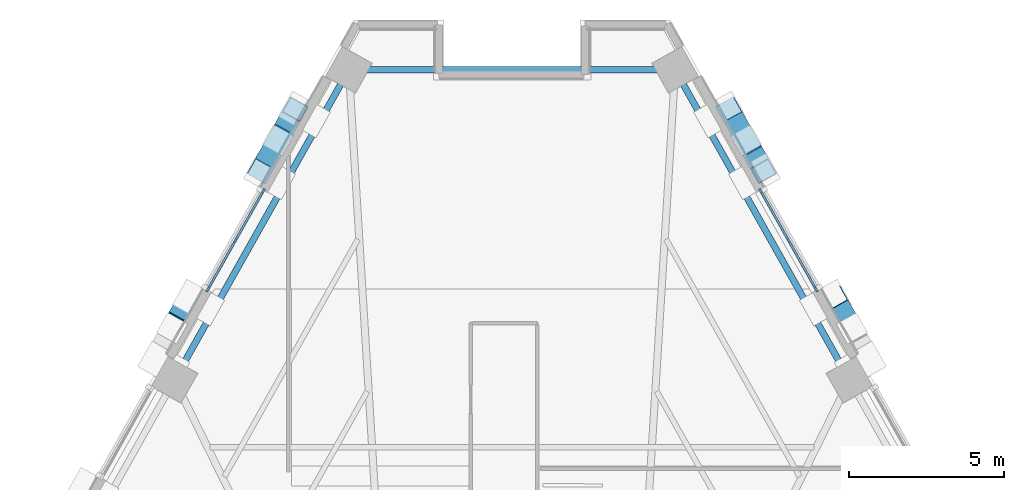
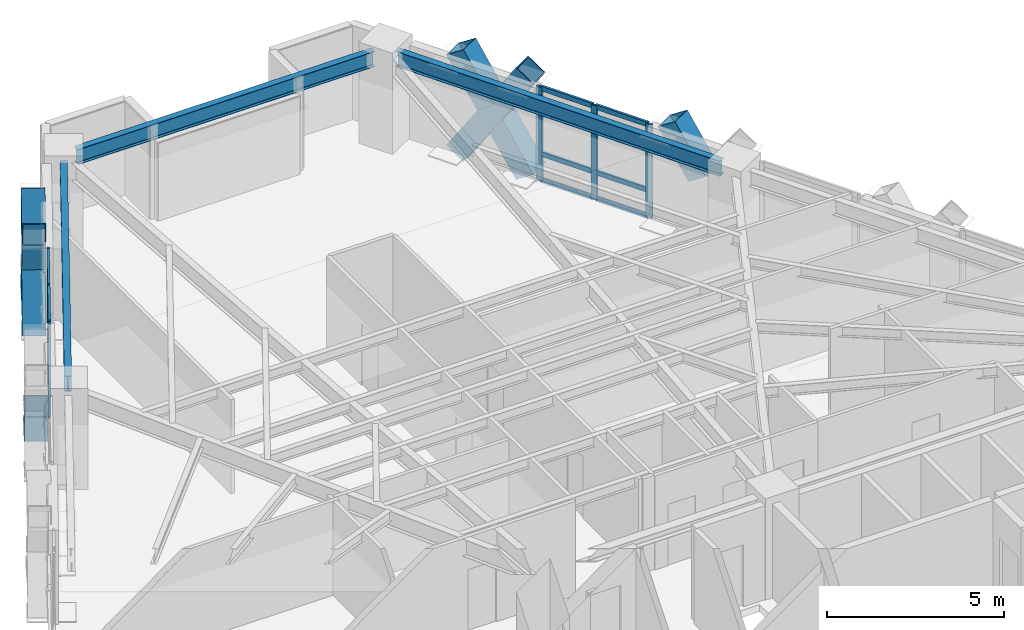
# One storey, part 5 of 14: 26 members, 3 beams, 2 elements without a shape of their own.
"""IFC4 building model written with IfcOpenShell, lengths in metres."""

from ifc_helpers import new_model, si_unit, direction, frame, origin, origin_2d, place, context, subcontext, project, spatial, rectangle, hollow_rectangle, i_section, extrude, material, material_profile, profile_set, type_object, element, aggregate, save


model = new_model("IFC4")

# Units and contexts
model_context = context("Model", 3, precision=1e-05, world=origin(), true_north=direction((0.0, 1.0)))
body_context = subcontext(model_context, "Body", "Model", "MODEL_VIEW")
ifc_project = project(units=[si_unit("LENGTHUNIT", "METRE"), si_unit("AREAUNIT", "SQUARE_METRE"), si_unit("VOLUMEUNIT", "CUBIC_METRE"), si_unit("PLANEANGLEUNIT", "RADIAN"), si_unit("MASSUNIT", "GRAM", prefix="KILO")], contexts=[model_context])

# Site, building, storey
site_placement = place(None, origin())
site = spatial("IfcSite", under=ifc_project, at=site_placement, CompositionType="ELEMENT")
building_placement = place(site_placement, origin())
building = spatial("IfcBuilding", under=site, at=building_placement, Name="Quenlor Broadcast Tower", CompositionType="ELEMENT")
storey_placement = place(building_placement, frame((0.0, 0.0, 102.0)))
storey = spatial("IfcBuildingStorey", under=building, at=storey_placement, Name="L27", CompositionType="ELEMENT", Elevation=102.0)

# Curtain wall, members
ifc_material_1 = material(Name="Architectural Terracotta and Low-E Glazing", Category="masonry")
curtain_wall_type = type_object("IfcCurtainWallType", Name="Unitised Terracotta Curtain Wall System Z2", PredefinedType="NOTDEFINED", material=ifc_material_1)
curtain_wall_1_placement = place(storey_placement, origin())
curtain_wall_1 = element("IfcCurtainWall", 1, at=curtain_wall_1_placement, inside=storey, type_object=curtain_wall_type, Name="L27 Curtain Wall CW2 (L27-NEA-G1)", PredefinedType="NOTDEFINED")
ifc_material_2 = material(Name="Aluminium 6063-T6", Category="aluminium")
ifc_material_profile_1 = material_profile(ifc_material_2, rectangle(XDim=0.074951171875, YDim=0.199951171875, at=origin_2d()))
ifc_profile_set_1 = profile_set([ifc_material_profile_1], Name="Aluminium 6063-T6 MULL75x200")
member_type_1 = type_object("IfcMemberType", Name="CW2 Aluminium Mullion MULL_CW2", PredefinedType="MULLION", material=ifc_profile_set_1)
member_1_placement = place(storey_placement, frame((8.031005859375, 15.79638671875, 0.0), z_axis=(0.0, 0.0, 1.0), x_axis=(0.871573362898, 0.490265104904, 0.0)))
member_1 = element("IfcMember", 2, at=member_1_placement, type_object=member_type_1, Name="CW2 mullion 1", PredefinedType="MULLION", context=body_context, shape_type="SweptSolid", body=[
    extrude(rectangle(XDim=0.074951171875, YDim=0.199951171875, at=origin_2d()), origin(), (0.0, 0.0, 1.0), 3.25),
])
member_2_placement = place(storey_placement, frame((8.916015625, 14.22314453125, 0.0), z_axis=(0.0, 0.0, 1.0), x_axis=(0.871573362898, 0.490265104904, 0.0)))
member_2 = element("IfcMember", 3, at=member_2_placement, type_object=member_type_1, Name="CW2 mullion 2", PredefinedType="MULLION", context=body_context, shape_type="SweptSolid", body=[
    extrude(rectangle(XDim=0.074951171875, YDim=0.199951171875, at=origin_2d()), origin(), (0.0, 0.0, 1.0), 3.25),
])
member_3_placement = place(storey_placement, frame((9.80078125, 12.64990234375, 0.0), z_axis=(0.0, 0.0, 1.0), x_axis=(0.871573362898, 0.490265104904, 0.0)))
member_3 = element("IfcMember", 4, at=member_3_placement, type_object=member_type_1, Name="CW2 mullion 3", PredefinedType="MULLION", context=body_context, shape_type="SweptSolid", body=[
    extrude(rectangle(XDim=0.074951171875, YDim=0.199951171875, at=origin_2d()), origin(), (0.0, 0.0, 1.0), 3.25),
])

curtain_wall_2_placement = place(storey_placement, origin())
curtain_wall_2 = element("IfcCurtainWall", 5, at=curtain_wall_2_placement, inside=storey, type_object=curtain_wall_type, Name="L27 Curtain Wall CW2 (L27-NWC-G1)", PredefinedType="NOTDEFINED")
member_4_placement = place(storey_placement, frame((-9.80078125, 12.64990234375, 0.0), z_axis=(0.0, 0.0, 1.0), x_axis=(-0.871573362898, 0.490265104904, 0.0)))
member_4 = element("IfcMember", 6, at=member_4_placement, type_object=member_type_1, Name="CW2 mullion 1", PredefinedType="MULLION", context=body_context, shape_type="SweptSolid", body=[
    extrude(rectangle(XDim=0.074951171875, YDim=0.199951171875, at=origin_2d()), origin(), (0.0, 0.0, 1.0), 3.25),
])
member_5_placement = place(storey_placement, frame((-8.916015625, 14.22314453125, 0.0), z_axis=(0.0, 0.0, 1.0), x_axis=(-0.871573362898, 0.490265104904, 0.0)))
member_5 = element("IfcMember", 7, at=member_5_placement, type_object=member_type_1, Name="CW2 mullion 2", PredefinedType="MULLION", context=body_context, shape_type="SweptSolid", body=[
    extrude(rectangle(XDim=0.074951171875, YDim=0.199951171875, at=origin_2d()), origin(), (0.0, 0.0, 1.0), 3.25),
])
member_6_placement = place(storey_placement, frame((-8.031005859375, 15.79638671875, 0.0), z_axis=(0.0, 0.0, 1.0), x_axis=(-0.871573362898, 0.490265104904, 0.0)))
member_6 = element("IfcMember", 8, at=member_6_placement, type_object=member_type_1, Name="CW2 mullion 3", PredefinedType="MULLION", context=body_context, shape_type="SweptSolid", body=[
    extrude(rectangle(XDim=0.074951171875, YDim=0.199951171875, at=origin_2d()), origin(), (0.0, 0.0, 1.0), 3.25),
])

# Member
ifc_material_3 = material(Name="Aluminium 6063-T6", Category="aluminium")
ifc_material_profile_2 = material_profile(ifc_material_3, rectangle(XDim=0.074951171875, YDim=0.1650390625, at=origin_2d()))
ifc_profile_set_2 = profile_set([ifc_material_profile_2], Name="Aluminium 6063-T6 TRAN75x165")
member_type_2 = type_object("IfcMemberType", Name="CW2 Aluminium Transom TRAN_CW2", PredefinedType="USERDEFINED", material=ifc_profile_set_2)
member_7_placement = place(storey_placement, frame((8.04931640625, 15.763671875, 0.03759765625), z_axis=(0.490261239633, -0.871575537125, 0.0), x_axis=(0.871575537125, 0.490261239633, 0.0)))
member_7 = element("IfcMember", 9, at=member_7_placement, type_object=member_type_2, Name="CW2 transom 1.1", ObjectType="TRANSOM", PredefinedType="USERDEFINED", context=body_context, shape_type="SweptSolid", body=[
    extrude(rectangle(XDim=0.074951171875, YDim=0.1650390625, at=origin_2d()), origin(), (0.0, 0.0, 1.0), 1.72998046875),
])

member_8_placement = place(storey_placement, frame((8.04931640625, 15.763671875, 0.949951171875), z_axis=(0.490261239633, -0.871575537125, 0.0), x_axis=(0.871575537125, 0.490261239633, 0.0)))
member_8 = element("IfcMember", 10, at=member_8_placement, type_object=member_type_2, Name="CW2 transom 1.2", ObjectType="TRANSOM", PredefinedType="USERDEFINED", context=body_context, shape_type="SweptSolid", body=[
    extrude(rectangle(XDim=0.074951171875, YDim=0.1650390625, at=origin_2d()), origin(), (0.0, 0.0, 1.0), 1.72998046875),
])

member_9_placement = place(storey_placement, frame((8.04931640625, 15.763671875, 3.21240234375), z_axis=(0.490261239633, -0.871575537125, 0.0), x_axis=(0.871575537125, 0.490261239633, 0.0)))
member_9 = element("IfcMember", 11, at=member_9_placement, type_object=member_type_2, Name="CW2 transom 1.3", ObjectType="TRANSOM", PredefinedType="USERDEFINED", context=body_context, shape_type="SweptSolid", body=[
    extrude(rectangle(XDim=0.074951171875, YDim=0.1650390625, at=origin_2d()), origin(), (0.0, 0.0, 1.0), 1.72998046875),
])

member_10_placement = place(storey_placement, frame((8.934326171875, 14.1904296875, 0.03759765625), z_axis=(0.490261239633, -0.871575537125, 0.0), x_axis=(0.871575537125, 0.490261239633, 0.0)))
member_10 = element("IfcMember", 12, at=member_10_placement, type_object=member_type_2, Name="CW2 transom 2.1", ObjectType="TRANSOM", PredefinedType="USERDEFINED", context=body_context, shape_type="SweptSolid", body=[
    extrude(rectangle(XDim=0.074951171875, YDim=0.1650390625, at=origin_2d()), origin(), (0.0, 0.0, 1.0), 1.72998046875),
])

member_11_placement = place(storey_placement, frame((8.934326171875, 14.1904296875, 0.949951171875), z_axis=(0.490261239633, -0.871575537125, 0.0), x_axis=(0.871575537125, 0.490261239633, 0.0)))
member_11 = element("IfcMember", 13, at=member_11_placement, type_object=member_type_2, Name="CW2 transom 2.2", ObjectType="TRANSOM", PredefinedType="USERDEFINED", context=body_context, shape_type="SweptSolid", body=[
    extrude(rectangle(XDim=0.074951171875, YDim=0.1650390625, at=origin_2d()), origin(), (0.0, 0.0, 1.0), 1.72998046875),
])

member_12_placement = place(storey_placement, frame((8.934326171875, 14.1904296875, 3.21240234375), z_axis=(0.490261239633, -0.871575537125, 0.0), x_axis=(0.871575537125, 0.490261239633, 0.0)))
member_12 = element("IfcMember", 14, at=member_12_placement, type_object=member_type_2, Name="CW2 transom 2.3", ObjectType="TRANSOM", PredefinedType="USERDEFINED", context=body_context, shape_type="SweptSolid", body=[
    extrude(rectangle(XDim=0.074951171875, YDim=0.1650390625, at=origin_2d()), origin(), (0.0, 0.0, 1.0), 1.72998046875),
])

aggregate(curtain_wall_1, [member_1, member_2, member_3, member_7, member_8, member_9, member_10, member_11, member_12])

member_13_placement = place(storey_placement, frame((-9.782470703125, 12.6826171875, 0.03759765625), z_axis=(0.490261239633, 0.871575537125, 0.0), x_axis=(-0.871575537125, 0.490261239633, 0.0)))
member_13 = element("IfcMember", 15, at=member_13_placement, type_object=member_type_2, Name="CW2 transom 1.1", ObjectType="TRANSOM", PredefinedType="USERDEFINED", context=body_context, shape_type="SweptSolid", body=[
    extrude(rectangle(XDim=0.074951171875, YDim=0.1650390625, at=origin_2d()), origin(), (0.0, 0.0, 1.0), 1.72998046875),
])

member_14_placement = place(storey_placement, frame((-9.782470703125, 12.6826171875, 0.949951171875), z_axis=(0.490261239633, 0.871575537125, 0.0), x_axis=(-0.871575537125, 0.490261239633, 0.0)))
member_14 = element("IfcMember", 16, at=member_14_placement, type_object=member_type_2, Name="CW2 transom 1.2", ObjectType="TRANSOM", PredefinedType="USERDEFINED", context=body_context, shape_type="SweptSolid", body=[
    extrude(rectangle(XDim=0.074951171875, YDim=0.1650390625, at=origin_2d()), origin(), (0.0, 0.0, 1.0), 1.72998046875),
])

member_15_placement = place(storey_placement, frame((-9.782470703125, 12.6826171875, 3.21240234375), z_axis=(0.490261239633, 0.871575537125, 0.0), x_axis=(-0.871575537125, 0.490261239633, 0.0)))
member_15 = element("IfcMember", 17, at=member_15_placement, type_object=member_type_2, Name="CW2 transom 1.3", ObjectType="TRANSOM", PredefinedType="USERDEFINED", context=body_context, shape_type="SweptSolid", body=[
    extrude(rectangle(XDim=0.074951171875, YDim=0.1650390625, at=origin_2d()), origin(), (0.0, 0.0, 1.0), 1.72998046875),
])

member_16_placement = place(storey_placement, frame((-8.8974609375, 14.255859375, 0.03759765625), z_axis=(0.490261239633, 0.871575537125, 0.0), x_axis=(-0.871575537125, 0.490261239633, 0.0)))
member_16 = element("IfcMember", 18, at=member_16_placement, type_object=member_type_2, Name="CW2 transom 2.1", ObjectType="TRANSOM", PredefinedType="USERDEFINED", context=body_context, shape_type="SweptSolid", body=[
    extrude(rectangle(XDim=0.074951171875, YDim=0.1650390625, at=origin_2d()), origin(), (0.0, 0.0, 1.0), 1.72998046875),
])

member_17_placement = place(storey_placement, frame((-8.8974609375, 14.255859375, 0.949951171875), z_axis=(0.490261239633, 0.871575537125, 0.0), x_axis=(-0.871575537125, 0.490261239633, 0.0)))
member_17 = element("IfcMember", 19, at=member_17_placement, type_object=member_type_2, Name="CW2 transom 2.2", ObjectType="TRANSOM", PredefinedType="USERDEFINED", context=body_context, shape_type="SweptSolid", body=[
    extrude(rectangle(XDim=0.074951171875, YDim=0.1650390625, at=origin_2d()), origin(), (0.0, 0.0, 1.0), 1.72998046875),
])

member_18_placement = place(storey_placement, frame((-8.8974609375, 14.255859375, 3.21240234375), z_axis=(0.490261239633, 0.871575537125, 0.0), x_axis=(-0.871575537125, 0.490261239633, 0.0)))
member_18 = element("IfcMember", 20, at=member_18_placement, type_object=member_type_2, Name="CW2 transom 2.3", ObjectType="TRANSOM", PredefinedType="USERDEFINED", context=body_context, shape_type="SweptSolid", body=[
    extrude(rectangle(XDim=0.074951171875, YDim=0.1650390625, at=origin_2d()), origin(), (0.0, 0.0, 1.0), 1.72998046875),
])

aggregate(curtain_wall_2, [member_4, member_5, member_6, member_13, member_14, member_15, member_16, member_17, member_18])

# Members
ifc_material_4 = material(Name="Steel S355", Category="steel")
ifc_material_profile_3 = material_profile(ifc_material_4, hollow_rectangle(XDim=0.679931640625, YDim=0.679931640625, WallThickness=0.030029296875, at=origin_2d()))
ifc_profile_set_3 = profile_set([ifc_material_profile_3], Name="Steel S355 RHS680x680x30")
member_type_3 = type_object("IfcMemberType", Name="Perimeter Diagonal Lattice Brace Z2 Steel S355 RHS680x30", PredefinedType="BRACE", material=ifc_profile_set_3)
member_19_placement = place(storey_placement, frame((6.99169921875, 18.44970703125, -0.1201171875), z_axis=(0.26858823371, -0.477600411236, 0.836515515636), x_axis=(0.871623880158, 0.490175286544, 0.0)))
element("IfcMember", 21, at=member_19_placement, inside=storey, type_object=member_type_3, Name="L27 Perimeter Diamond Lattice NE-C1XA", PredefinedType="BRACE", context=body_context, shape_type="SweptSolid", body=[
    extrude(hollow_rectangle(XDim=0.679931640625, YDim=0.679931640625, WallThickness=0.030029296875, at=origin_2d()), origin(), (0.0, 0.0, 1.0), 4.18408203125),
])
member_20_placement = place(storey_placement, frame((8.115478515625, 16.451416015625, -0.1201171875), z_axis=(-0.268503779961, 0.477634562182, 0.836523128883), x_axis=(-0.871704696361, -0.490031552394, 0.0)))
element("IfcMember", 22, at=member_20_placement, inside=storey, type_object=member_type_3, Name="L27 Perimeter Diamond Lattice NE-C1XB1", PredefinedType="BRACE", context=body_context, shape_type="SweptSolid", body=[
    extrude(hollow_rectangle(XDim=0.679931640625, YDim=0.679931640625, WallThickness=0.030029296875, at=origin_2d()), origin(), (0.0, 0.0, 1.0), 1.84228515625),
])
member_21_placement = place(storey_placement, frame((7.486328125, 17.570068359375, 1.839111328125), z_axis=(-0.268550551161, 0.477585210185, 0.836536292389), x_axis=(-0.871646597174, -0.490134889224, 0.0)))
element("IfcMember", 23, at=member_21_placement, inside=storey, type_object=member_type_3, Name="L27 Perimeter Diamond Lattice NE-C1XB2", PredefinedType="BRACE", context=body_context, shape_type="SweptSolid", body=[
    extrude(hollow_rectangle(XDim=0.679931640625, YDim=0.679931640625, WallThickness=0.030029296875, at=origin_2d()), origin(), (0.0, 0.0, 1.0), 1.841796875),
])
member_22_placement = place(storey_placement, frame((10.8994140625, 11.502197265625, 1.839111328125), z_axis=(-0.268533549845, 0.477687519073, 0.836483333205), x_axis=(-0.871704696361, -0.490031552394, 0.0)))
element("IfcMember", 24, at=member_22_placement, inside=storey, type_object=member_type_3, Name="L27 Perimeter Diamond Lattice NE-C2XB2", PredefinedType="BRACE", context=body_context, shape_type="SweptSolid", body=[
    extrude(hollow_rectangle(XDim=0.679931640625, YDim=0.679931640625, WallThickness=0.030029296875, at=origin_2d()), origin(), (0.0, 0.0, 1.0), 1.842041015625),
])
member_23_placement = place(storey_placement, frame((-10.40478515625, 12.382080078125, -0.1201171875), z_axis=(-0.268503779961, -0.477634562182, 0.836523128883), x_axis=(0.871704696361, -0.490031552394, 0.0)))
element("IfcMember", 25, at=member_23_placement, inside=storey, type_object=member_type_3, Name="L27 Perimeter Diamond Lattice NW-C4XB1", PredefinedType="BRACE", context=body_context, shape_type="SweptSolid", body=[
    extrude(hollow_rectangle(XDim=0.679931640625, YDim=0.679931640625, WallThickness=0.030029296875, at=origin_2d()), origin(), (0.0, 0.0, 1.0), 1.84228515625),
])
member_24_placement = place(storey_placement, frame((-8.115478515625, 16.451416015625, -0.1201171875), z_axis=(0.26858823371, 0.477600411236, 0.836515515636), x_axis=(-0.871623880158, 0.490175286544, 0.0)))
element("IfcMember", 26, at=member_24_placement, inside=storey, type_object=member_type_3, Name="L27 Perimeter Diamond Lattice NW-C5XA", PredefinedType="BRACE", context=body_context, shape_type="SweptSolid", body=[
    extrude(hollow_rectangle(XDim=0.679931640625, YDim=0.679931640625, WallThickness=0.030029296875, at=origin_2d()), origin(), (0.0, 0.0, 1.0), 4.18408203125),
])
for number, where, z_axis, x_axis, name in (
    (27, (-6.99169921875, 18.44970703125, -0.1201171875), (-0.268520775624, -0.477532257933, 0.836576078843), (0.871646597174, -0.490134889224, 0.0), "L27 Perimeter Diamond Lattice NW-C5XB1"),
    (28, (-7.620849609375, 17.331298828125, 1.839111328125), (-0.268533549845, -0.477687519073, 0.836483333205), (0.871704696361, -0.490031552394, 0.0), "L27 Perimeter Diamond Lattice NW-C5XB2"),
):
    element("IfcMember", number, at=place(storey_placement, frame(where, z_axis=z_axis, x_axis=x_axis)), inside=storey, type_object=member_type_3, Name=name, PredefinedType="BRACE", context=body_context, shape_type="SweptSolid", body=[
        extrude(hollow_rectangle(XDim=0.679931640625, YDim=0.679931640625, WallThickness=0.030029296875, at=origin_2d()), origin(), (0.0, 0.0, 1.0), 1.842041015625),
    ])

# Beams
ifc_material_5 = material(Name="Steel S355", Category="steel")
ifc_material_profile_4 = material_profile(ifc_material_5, i_section(OverallWidth=0.208984375, OverallDepth=0.5283203125, WebThickness=0.009521484375, FlangeThickness=0.01318359375, FilletRadius=0.013916015625, at=origin_2d()))
ifc_profile_set_4 = profile_set([ifc_material_profile_4], Name="Steel S355 530UB82.0")
beam_type = type_object("IfcBeamType", Name="Perimeter Spandrel Beam Z2 Steel S355 530UB82.0", PredefinedType="SPANDREL", material=ifc_profile_set_4)
beam_1_placement = place(storey_placement, frame((10.685791015625, 10.076904296875, 2.98583984375), z_axis=(-0.490236213386, 0.871589613916, 0.0), x_axis=(-0.871589613916, -0.490236213386, 0.0)))
element("IfcBeam", 29, at=beam_1_placement, inside=storey, type_object=beam_type, Name="L27 Spandrel Beam NE3-NE4", PredefinedType="SPANDREL", context=body_context, shape_type="SweptSolid", body=[
    extrude(i_section(OverallWidth=0.208984375, OverallDepth=0.5283203125, WebThickness=0.009521484375, FlangeThickness=0.01318359375, FilletRadius=0.013916015625, at=origin_2d()), origin(), (0.0, 0.0, 1.0), 10.65283203125),
])
beam_2_placement = place(storey_placement, frame((4.852294921875, 19.718994140625, 2.98583984375), z_axis=(-1.0, 0.0, 0.0), x_axis=(0.0, -1.0, 0.0)))
element("IfcBeam", 30, at=beam_2_placement, inside=storey, type_object=beam_type, Name="L27 Spandrel Beam NE4-NW1", PredefinedType="SPANDREL", context=body_context, shape_type="SweptSolid", body=[
    extrude(i_section(OverallWidth=0.208984375, OverallDepth=0.5283203125, WebThickness=0.009521484375, FlangeThickness=0.01318359375, FilletRadius=0.013916015625, at=origin_2d()), origin(), (0.0, 0.0, 1.0), 9.70458984375),
])
beam_3_placement = place(storey_placement, frame((-5.46337890625, 19.36181640625, 2.98583984375), z_axis=(-0.490236213386, -0.871589613916, 0.0), x_axis=(0.871589613916, -0.490236213386, 0.0)))
element("IfcBeam", 31, at=beam_3_placement, inside=storey, type_object=beam_type, Name="L27 Spandrel Beam NW1-NW2", PredefinedType="SPANDREL", context=body_context, shape_type="SweptSolid", body=[
    extrude(i_section(OverallWidth=0.208984375, OverallDepth=0.5283203125, WebThickness=0.009521484375, FlangeThickness=0.01318359375, FilletRadius=0.013916015625, at=origin_2d()), origin(), (0.0, 0.0, 1.0), 10.65283203125),
])

save(model, "model.ifc")
